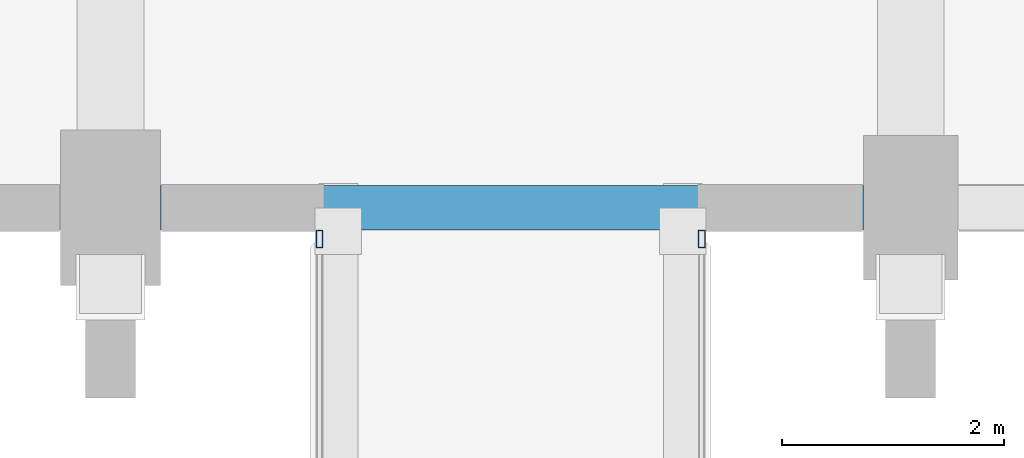
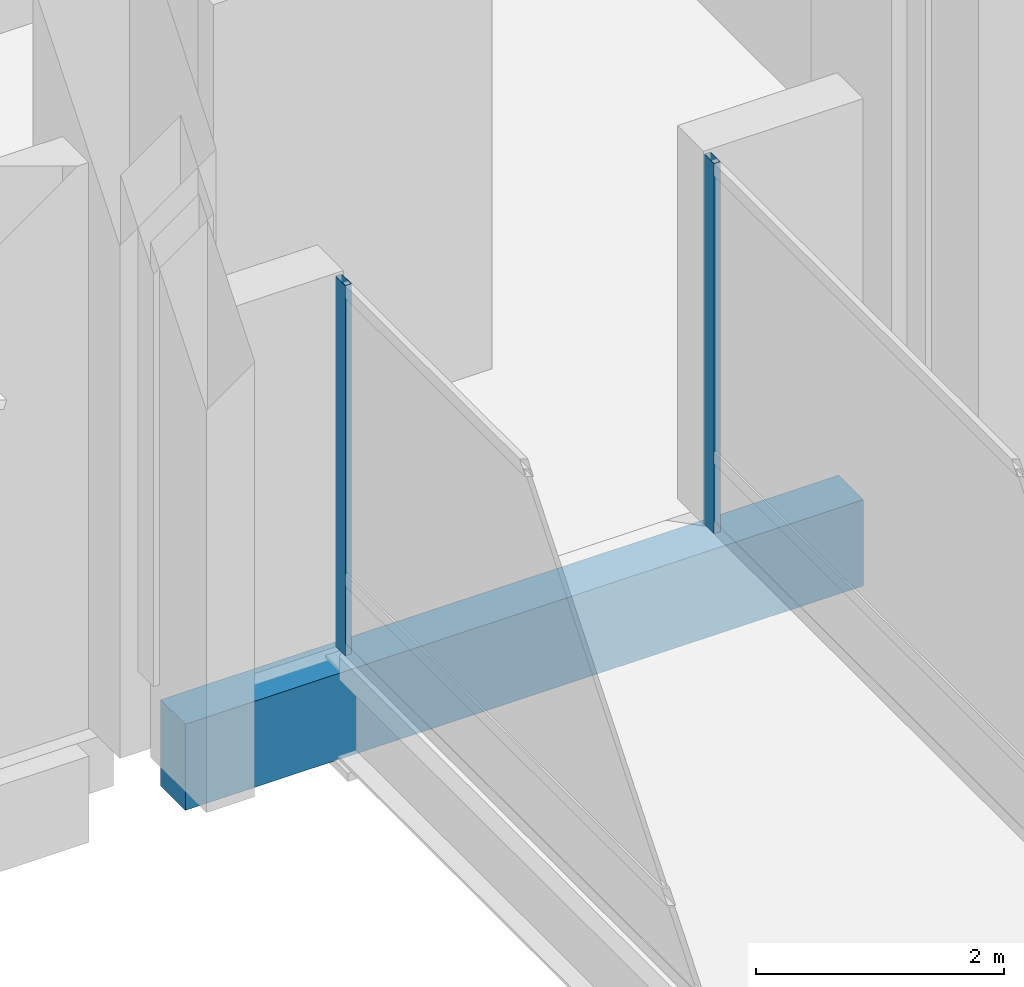
# One storey, part 33 of 220: 2 members, 1 beam, 2 elements without a shape of their own.
"""IFC4 building model written with IfcOpenShell, lengths in metres."""

from ifc_helpers import new_model, si_unit, direction, frame, origin, origin_2d, place, context, subcontext, project, spatial, rectangle, hollow_rectangle, extrude, material, material_profile, profile_set, type_object, element, aggregate, save


model = new_model("IFC4")

# Units and contexts
model_context = context("Model", 3, precision=1e-05, world=origin(), true_north=direction((0.0, 1.0)))
body_context = subcontext(model_context, "Body", "Model", "MODEL_VIEW")
ifc_project = project(units=[si_unit("LENGTHUNIT", "METRE"), si_unit("AREAUNIT", "SQUARE_METRE"), si_unit("VOLUMEUNIT", "CUBIC_METRE"), si_unit("PLANEANGLEUNIT", "RADIAN"), si_unit("MASSUNIT", "GRAM", prefix="KILO")], contexts=[model_context])

# Site, building, storey
site_placement = place(None, origin())
site = spatial("IfcSite", under=ifc_project, at=site_placement, CompositionType="ELEMENT")
building_placement = place(site_placement, origin())
building = spatial("IfcBuilding", under=site, at=building_placement, Name="Cendralis Lancet Convention Centre", CompositionType="ELEMENT")
storey_placement = place(building_placement, frame((0.0, 0.0, 5.39990234375)))
storey = spatial("IfcBuildingStorey", under=building, at=storey_placement, Name="L01", CompositionType="ELEMENT", Elevation=5.39990234375)

# Curtain wall, member
ifc_material_1 = material(Name="Anodised bronze architectural aluminium", Category="aluminium")
curtain_wall_type = type_object("IfcCurtainWallType", Name="ARC-CW-BR01", PredefinedType="USERDEFINED", material=ifc_material_1)
curtain_wall_1_placement = place(storey_placement, origin())
curtain_wall_1 = element("IfcCurtainWall", 1, at=curtain_wall_1_placement, inside=storey, type_object=curtain_wall_type, Name="L01 Curtain Wall CW-BR1 #209", ObjectType="CURTAIN WALL", PredefinedType="USERDEFINED")
ifc_material_profile_1 = material_profile(ifc_material_1, hollow_rectangle(XDim=0.06005859375, YDim=0.159912109375, WallThickness=0.00390625, at=origin_2d()), Name="AL-MULL 60x160x4.0")
ifc_profile_set_1 = profile_set([ifc_material_profile_1], Name="Anodised bronze architectural aluminium")
member_type = type_object("IfcMemberType", Name="ARC-CW-ML01", PredefinedType="MULLION", material=ifc_profile_set_1)
member_1_placement = place(storey_placement, frame((16.280029296875, 50.1201171875, 0.0), z_axis=(0.0, 0.0, 1.0), x_axis=(1.0, 0.0, 0.0)))
member_1 = element("IfcMember", 2, at=member_1_placement, type_object=member_type, Name="Mullion CW2-CW-BR1-L01-209-M2", PredefinedType="MULLION", context=body_context, shape_type="SweptSolid", body=[
    extrude(hollow_rectangle(XDim=0.06005859375, YDim=0.159912109375, WallThickness=0.00390625, at=origin_2d()), origin(), (0.0, 0.0, 1.0), 3.650146484375),
])
aggregate(curtain_wall_1, [member_1])

curtain_wall_2_placement = place(storey_placement, origin())
curtain_wall_2 = element("IfcCurtainWall", 3, at=curtain_wall_2_placement, inside=storey, type_object=curtain_wall_type, Name="L01 Curtain Wall CW-BR1 #210", ObjectType="CURTAIN WALL", PredefinedType="USERDEFINED")
member_2_placement = place(storey_placement, frame((19.719970703125, 50.1201171875, 0.0), z_axis=(0.0, 0.0, 1.0), x_axis=(1.0, 0.0, 0.0)))
member_2 = element("IfcMember", 4, at=member_2_placement, type_object=member_type, Name="Mullion CW2-CW-BR1-L01-210-M2", PredefinedType="MULLION", context=body_context, shape_type="SweptSolid", body=[
    extrude(hollow_rectangle(XDim=0.06005859375, YDim=0.159912109375, WallThickness=0.00390625, at=origin_2d()), origin(), (0.0, 0.0, 1.0), 3.650146484375),
])
aggregate(curtain_wall_2, [member_2])

# Beam
ifc_material_2 = material(Name="Concrete G40 (C40/50)", Category="concrete")
ifc_material_profile_2 = material_profile(ifc_material_2, rectangle(XDim=0.39990234375, YDim=0.85009765625, at=origin_2d()), Name="RCB 400x850")
ifc_profile_set_2 = profile_set([ifc_material_profile_2], Name="Concrete G40 (C40/50)")
beam_type = type_object("IfcBeamType", Name="STR-SP-SP02", PredefinedType="SPANDREL", material=ifc_profile_set_2)
beam_placement = place(storey_placement, frame((14.85009765625, 50.39990234375, -0.704833984375), z_axis=(1.0, 0.0, 0.0), x_axis=(0.0, 1.0, 0.0)))
element("IfcBeam", 5, at=beam_placement, inside=storey, type_object=beam_type, Name="L01 Beam SP02 #1194", PredefinedType="SPANDREL", context=body_context, shape_type="SweptSolid", body=[
    extrude(rectangle(XDim=0.39990234375, YDim=0.85009765625, at=origin_2d()), origin(), (0.0, 0.0, 1.0), 6.324951171875),
])

save(model, "model.ifc")
